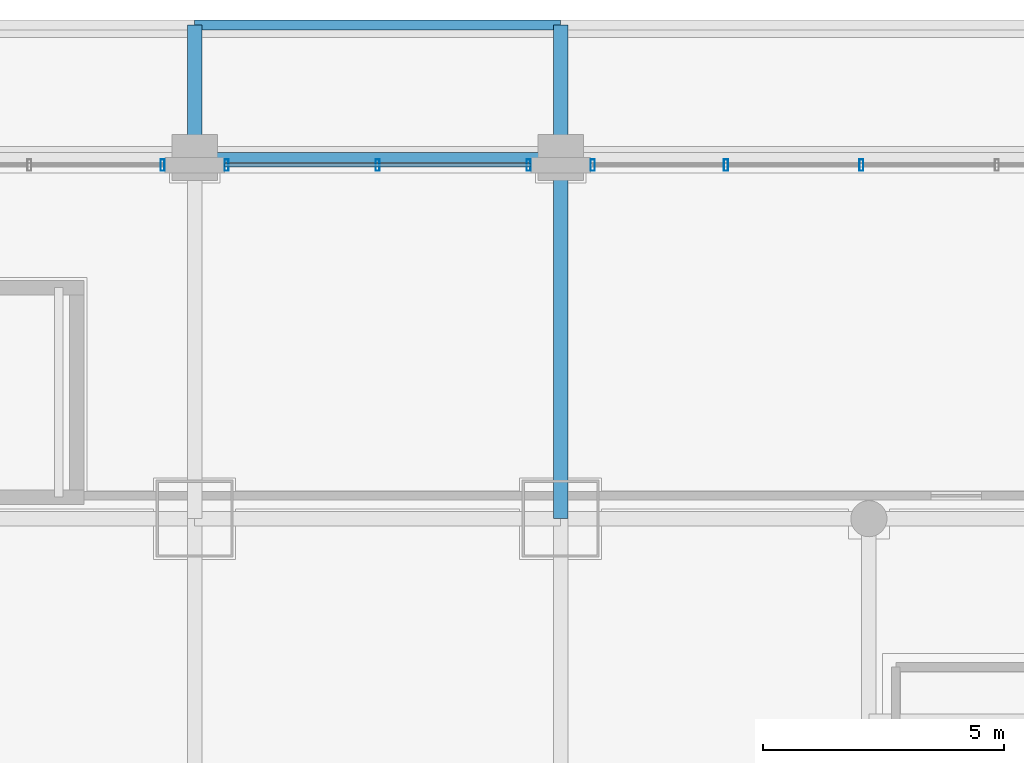
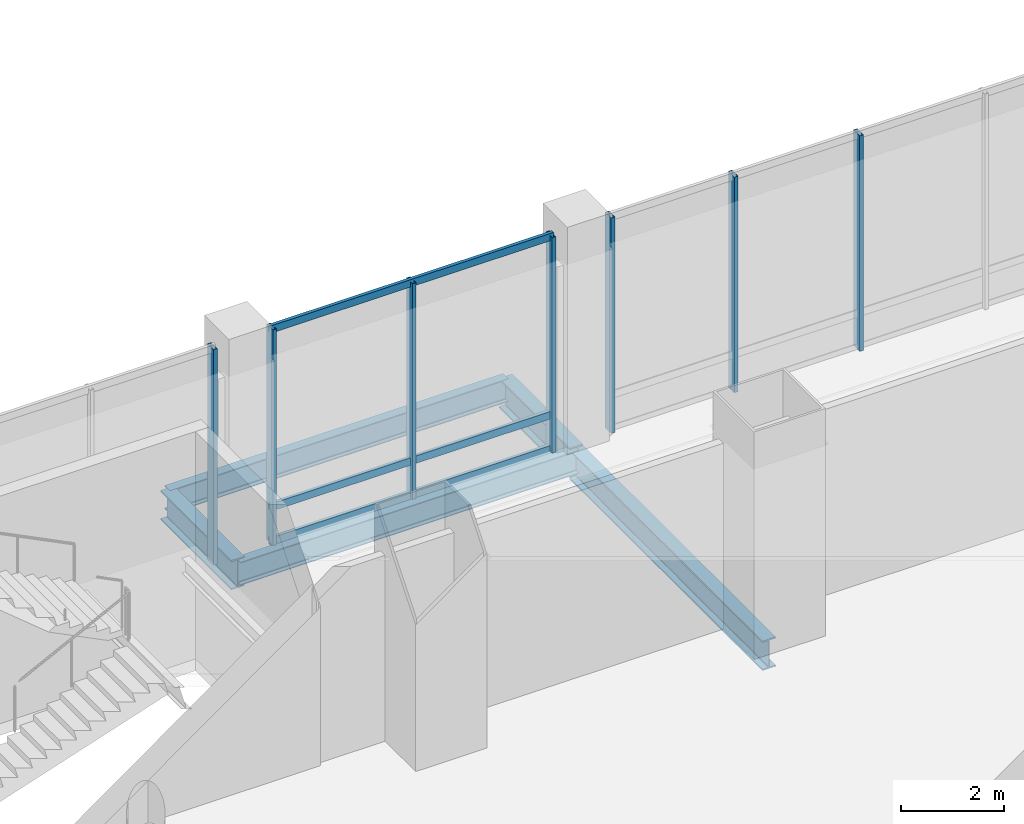
# One storey, part 18 of 43: 10 members, 5 beams, 3 elements without a shape of their own.
"""IFC4 building model written with IfcOpenShell, lengths in metres."""

import ifcopenshell
import ifcopenshell.guid

model = None  # the IFC model being written
_history = None  # IfcOwnerHistory: only IFC2X3 demands one
_inside = {}  # id of a spatial element -> (the spatial element, [elements in it])
_under = {}  # id of a project, library or spatial element -> (it, [spatial elements below it])
_declared = {}  # id of a project -> (the project, [libraries it declares])
_typed = {}  # id of a type object -> (the type object, [elements of that type])
_made_of = {}  # id of a material, layer set ... -> (it, [elements and type objects made of it])


def new_model(schema):
    """Start an empty IFC model of exactly this schema.

    Asked for "IFC4X3", IfcOpenShell would pick the latest addendum, in which some entities
    have other attributes; the version numbers below select the first issue.
    IFC2X3 requires an IfcOwnerHistory on every rooted entity: one is made here for all.
    """
    global model, _history
    if schema == "IFC4X3":
        model = ifcopenshell.file(schema_version=(4, 3, 0, 0))
    else:
        model = ifcopenshell.file(schema=schema)
    _inside.clear()
    _under.clear()
    _declared.clear()
    _typed.clear()
    _made_of.clear()
    _history = None
    if model.schema == "IFC2X3":
        org = make("IfcOrganization", Name="unknown")
        user = make(
            "IfcPersonAndOrganization",
            ThePerson=make("IfcPerson", FamilyName="unknown"),
            TheOrganization=org,
        )
        app = make(
            "IfcApplication",
            ApplicationDeveloper=org,
            Version="unknown",
            ApplicationFullName="unknown",
            ApplicationIdentifier="unknown",
        )
        _history = make(
            "IfcOwnerHistory",
            OwningUser=user,
            OwningApplication=app,
            ChangeAction="ADDED",
            CreationDate=0,
        )
    return model


def make(cls, **values):
    """One entity of the class cls with the attributes given. An attribute that is None is left unset."""
    return model.create_entity(
        cls, **{name: value for name, value in values.items() if value is not None}
    )


def rooted(cls, **values):
    """An entity with a GlobalId (a new one), such as an element, a storey or a relation."""
    return make(cls, GlobalId=ifcopenshell.guid.new(), OwnerHistory=_history, **values)


def si_unit(unit_type, name, prefix=None):
    """IfcSIUnit, for example si_unit("LENGTHUNIT", "METRE", prefix="MILLI")."""
    return make("IfcSIUnit", UnitType=unit_type, Prefix=prefix, Name=name)


def assignment(units):
    """IfcUnitAssignment: the units of a project."""
    return None if units is None else make("IfcUnitAssignment", Units=units)


def point(xyz):
    """IfcCartesianPoint."""
    return None if xyz is None else make("IfcCartesianPoint", Coordinates=xyz)


def direction(xyz):
    """IfcDirection."""
    return None if xyz is None else make("IfcDirection", DirectionRatios=xyz)


def frame(location, z_axis=None, x_axis=None):
    """IfcAxis2Placement3D, a coordinate frame: its origin and axes. An axis left out is left unset."""
    return make(
        "IfcAxis2Placement3D",
        Location=point(location),
        Axis=direction(z_axis),
        RefDirection=direction(x_axis),
    )


def frame_2d(location, x_axis=None):
    """IfcAxis2Placement2D, a coordinate frame in the plane: its origin and x axis."""
    return make(
        "IfcAxis2Placement2D", Location=point(location), RefDirection=direction(x_axis)
    )


def origin():
    """The frame at (0, 0, 0) with its axes left unset."""
    return frame((0.0, 0.0, 0.0))


def origin_2d():
    """The frame at (0, 0) in the plane with its x axis left unset."""
    return frame_2d((0.0, 0.0))


def place(relative_to, where):
    """IfcLocalPlacement: puts the frame where relative to a parent placement (None: the world)."""
    return make(
        "IfcLocalPlacement", PlacementRelTo=relative_to, RelativePlacement=where
    )


def context(
    kind, dimensions, precision=None, world=None, true_north=None, identifier=None
):
    """IfcGeometricRepresentationContext, for example the 3D "Model" context."""
    return make(
        "IfcGeometricRepresentationContext",
        ContextIdentifier=identifier,
        ContextType=kind,
        CoordinateSpaceDimension=dimensions,
        Precision=precision,
        WorldCoordinateSystem=world,
        TrueNorth=true_north,
    )


def subcontext(parent, identifier, kind, view, scale=None):
    """IfcGeometricRepresentationSubContext, for example "Body" below "Model"."""
    return make(
        "IfcGeometricRepresentationSubContext",
        ContextIdentifier=identifier,
        ContextType=kind,
        ParentContext=parent,
        TargetScale=scale,
        TargetView=view,
    )


def project(units=None, contexts=None):
    """IfcProject with its units and contexts."""
    return rooted(
        "IfcProject",
        Name="project",
        RepresentationContexts=contexts,
        UnitsInContext=assignment(units),
    )


def spatial(cls, under=None, at=None, **own):
    """A site, building, storey or space (cls), placed at a placement, below another one or the project."""
    s = rooted(cls, ObjectPlacement=at, **own)
    if under is not None:
        _under.setdefault(under.id(), (under, []))[1].append(s)
    return s


def profile(cls, at=None, kind="AREA", **sizes):
    """A parametric profile (cls). Its sizes go by their IFC names, for example OverallWidth=200.0."""
    return make(cls, ProfileType=kind, Position=at, **sizes)


def hollow_rectangle(**sizes):
    """IfcRectangleHollowProfileDef."""
    return profile("IfcRectangleHollowProfileDef", **sizes)


def i_section(**sizes):
    """IfcIShapeProfileDef."""
    return profile("IfcIShapeProfileDef", **sizes)


def extrude(swept, where, along, depth):
    """IfcExtrudedAreaSolid: the profile swept, set in the frame where, extruded along a direction by depth."""
    return make(
        "IfcExtrudedAreaSolid",
        SweptArea=swept,
        Position=where,
        ExtrudedDirection=direction(along),
        Depth=depth,
    )


def shape(context_of_items, identifier, shape_type, items):
    """IfcShapeRepresentation: the items that make up one representation, for example the "Body"."""
    return make(
        "IfcShapeRepresentation",
        ContextOfItems=context_of_items,
        RepresentationIdentifier=identifier,
        RepresentationType=shape_type,
        Items=items,
    )


def material(Name=None, Category=None):
    """IfcMaterial."""
    return make("IfcMaterial", Name=Name, Category=Category)


def material_profile(
    of_material, cross_section, Name=None, Category=None, Priority=None
):
    """IfcMaterialProfile: a cross section and its material."""
    return make(
        "IfcMaterialProfile",
        Name=Name,
        Material=of_material,
        Profile=cross_section,
        Priority=Priority,
        Category=Category,
    )


def profile_set(profiles, Name=None, composite=None):
    """IfcMaterialProfileSet."""
    return make(
        "IfcMaterialProfileSet",
        Name=Name,
        MaterialProfiles=profiles,
        CompositeProfile=composite,
    )


def made_of(thing, what):
    """Note that an element or type object is made of a material, layer set ...; save() writes the relation."""
    if what is not None:
        _made_of.setdefault(what.id(), (what, []))[1].append(thing)
    return thing


def type_object(cls, material=None, **own):
    """A type object (cls), such as IfcWallType, which elements share."""
    return made_of(rooted(cls, **own), material)


def element(
    cls,
    number,
    at=None,
    inside=None,
    cuts=None,
    type_object=None,
    material=None,
    context=None,
    identifier="Body",
    shape_type=None,
    held_by="IfcProductDefinitionShape",
    body=None,
    shapes=None,
    **own,
):
    """One element of the class cls, such as IfcWall. Its Tag is "e" and its number.

    at: its placement. inside: the storey or other place that contains it. cuts: it is an
    opening in that element (IfcRelVoidsElement). A single representation is given by context,
    identifier, shape_type and body (its items); several are given by shapes. held_by: the class
    of the entity that holds the representations. save() writes the other relations.
    """
    e = rooted(cls, Tag="e%d" % number, ObjectPlacement=at, **own)
    if body is not None:
        shapes = [shape(context, identifier, shape_type, body)]
    if shapes is not None:
        e.Representation = make(held_by, Representations=shapes)
    if inside is not None:
        _inside.setdefault(inside.id(), (inside, []))[1].append(e)
    if cuts is not None:
        rooted(
            "IfcRelVoidsElement", RelatingBuildingElement=cuts, RelatedOpeningElement=e
        )
    if type_object is not None:
        _typed.setdefault(type_object.id(), (type_object, []))[1].append(e)
    return made_of(e, material)


def aggregate(whole, parts):
    """IfcRelAggregates: a whole, such as a stair, and the parts it consists of."""
    return rooted("IfcRelAggregates", RelatingObject=whole, RelatedObjects=parts)


def save(model, path):
    """Write the relations noted so far, then the file.

    IfcRelAggregates (storeys below a building ...), IfcRelContainedInSpatialStructure (elements
    in a storey), IfcRelDefinesByType, IfcRelAssociatesMaterial and IfcRelDeclares: one each for
    every whole, place, type object, material and project.
    """
    for whole, parts in _under.values():
        aggregate(whole, parts)
    for where, things in _inside.values():
        rooted(
            "IfcRelContainedInSpatialStructure",
            RelatedElements=things,
            RelatingStructure=where,
        )
    for kind, things in _typed.values():
        rooted("IfcRelDefinesByType", RelatedObjects=things, RelatingType=kind)
    for what, things in _made_of.values():
        rooted("IfcRelAssociatesMaterial", RelatedObjects=things, RelatingMaterial=what)
    for by, libraries in _declared.values():
        rooted("IfcRelDeclares", RelatingContext=by, RelatedDefinitions=libraries)
    model.write(path)


model = new_model("IFC4")

# Units and contexts
model_context = context("Model", 3, precision=1e-05, world=origin(), true_north=direction((0.0, 1.0)))
body_context = subcontext(model_context, "Body", "Model", "MODEL_VIEW")
ifc_project = project(units=[si_unit("LENGTHUNIT", "METRE"), si_unit("AREAUNIT", "SQUARE_METRE"), si_unit("VOLUMEUNIT", "CUBIC_METRE"), si_unit("PLANEANGLEUNIT", "RADIAN"), si_unit("MASSUNIT", "GRAM", prefix="KILO")], contexts=[model_context])

# Site, building, storey
site_placement = place(None, origin())
site = spatial("IfcSite", under=ifc_project, at=site_placement, CompositionType="ELEMENT")
building_placement = place(site_placement, origin())
building = spatial("IfcBuilding", under=site, at=building_placement, Name="Punatoya Terracotta Tower", CompositionType="ELEMENT")
storey_placement = place(building_placement, frame((0.0, 0.0, 6.0)))
storey = spatial("IfcBuildingStorey", under=building, at=storey_placement, Name="L01", CompositionType="ELEMENT", Elevation=6.0)

# Beams
ifc_material_1 = material(Name="Steel S355", Category="steel")
ifc_material_profile_1 = material_profile(ifc_material_1, i_section(OverallWidth=0.300048828125, OverallDepth=0.699951171875, WebThickness=0.01708984375, FlangeThickness=0.031982421875, FilletRadius=0.01806640625, at=origin_2d()))
ifc_profile_set_1 = profile_set([ifc_material_profile_1], Name="Steel S355")
beam_type_1 = type_object("IfcBeamType", Name="BM-PRI-700", PredefinedType="BEAM", material=ifc_profile_set_1)
beam_placement = place(storey_placement, frame((3.800048828125, 17.5, -0.6298828125), z_axis=(0.0, 1.0, 0.0), x_axis=(-1.0, 0.0, 0.0)))
element("IfcBeam", 1, at=beam_placement, inside=storey, type_object=beam_type_1, Name="BM-L01-NS3-N", PredefinedType="BEAM", context=body_context, shape_type="SweptSolid", body=[
    extrude(i_section(OverallWidth=0.300048828125, OverallDepth=0.699951171875, WebThickness=0.01708984375, FlangeThickness=0.031982421875, FilletRadius=0.01806640625, at=origin_2d()), origin(), (0.0, 0.0, 1.0), 7.5),
])
for number, where, z_axis, x_axis, name in (
    (2, (-3.800048828125, 25.0, -0.60009765625), (0.0, 1.0, 0.0), (-1.0, 0.0, 0.0), "BM-L01-CANN--3"),
    (3, (3.800048828125, 25.0, -0.60009765625), (0.0, 1.0, 0.0), (-1.0, 0.0, 0.0), "BM-L01-CANN-3"),
):
    element("IfcBeam", number, at=place(storey_placement, frame(where, z_axis=z_axis, x_axis=x_axis)), inside=storey, type_object=beam_type_1, Name=name, PredefinedType="BEAM", context=body_context, shape_type="SweptSolid", body=[
        extrude(i_section(OverallWidth=0.300048828125, OverallDepth=0.699951171875, WebThickness=0.01708984375, FlangeThickness=0.031982421875, FilletRadius=0.01806640625, at=origin_2d()), origin(), (0.0, 0.0, 1.0), 2.75),
    ])
ifc_material_profile_2 = material_profile(ifc_material_1, i_section(OverallWidth=0.2099609375, OverallDepth=0.550048828125, WebThickness=0.010986328125, FlangeThickness=0.01708984375, FilletRadius=0.01806640625, at=origin_2d()))
ifc_profile_set_2 = profile_set([ifc_material_profile_2], Name="Steel S355")
beam_type_2 = type_object("IfcBeamType", Name="BM-SPN-550", PredefinedType="SPANDREL", material=ifc_profile_set_2)
for number, where, z_axis, x_axis, name in (
    (4, (-3.800048828125, 25.0, -0.554931640625), (1.0, 0.0, 0.0), (0.0, 1.0, 0.0), "BM-L01-MIDH-2"),
    (5, (-3.800048828125, 27.75, -0.52490234375), (1.0, 0.0, 0.0), (0.0, 1.0, 0.0), "BM-L01-CANFN-2"),
):
    element("IfcBeam", number, at=place(storey_placement, frame(where, z_axis=z_axis, x_axis=x_axis)), inside=storey, type_object=beam_type_2, Name=name, PredefinedType="SPANDREL", context=body_context, shape_type="SweptSolid", body=[
        extrude(i_section(OverallWidth=0.2099609375, OverallDepth=0.550048828125, WebThickness=0.010986328125, FlangeThickness=0.01708984375, FilletRadius=0.01806640625, at=origin_2d()), origin(), (0.0, 0.0, 1.0), 7.60009765625),
    ])

# Curtain wall, member
ifc_material_2 = material(Name="Aluminium 6063-T6 + Double Low-E Glass", Category="aluminium")
curtain_wall_type = type_object("IfcCurtainWallType", Name="CW-POD", PredefinedType="NOTDEFINED", material=ifc_material_2)
curtain_wall_1_placement = place(storey_placement, origin())
curtain_wall_1 = element("IfcCurtainWall", 6, at=curtain_wall_1_placement, inside=storey, type_object=curtain_wall_type, Name="L01 Curtain Wall CWP-L01-N3", PredefinedType="NOTDEFINED")
ifc_material_3 = material(Name="Aluminium 6063-T6", Category="aluminium")
ifc_material_profile_3 = material_profile(ifc_material_3, hollow_rectangle(XDim=0.0849609375, YDim=0.239990234375, WallThickness=0.0048828125, at=origin_2d()))
ifc_profile_set_3 = profile_set([ifc_material_profile_3], Name="Aluminium 6063-T6")
member_type_1 = type_object("IfcMemberType", Name="CW-MUL-POD", PredefinedType="MULLION", material=ifc_profile_set_3)
member_1_placement = place(storey_placement, frame((-4.465087890625, 24.840087890625, 0.0), z_axis=(0.0, 0.0, 1.0), x_axis=(1.0, 0.0, 0.0)))
member_1 = element("IfcMember", 7, at=member_1_placement, type_object=member_type_1, Name="CWP-L01-N3 Mullion 00", PredefinedType="MULLION", context=body_context, shape_type="SweptSolid", body=[
    extrude(hollow_rectangle(XDim=0.0849609375, YDim=0.239990234375, WallThickness=0.0048828125, at=origin_2d()), origin(), (0.0, 0.0, 1.0), 5.1201171875),
])
aggregate(curtain_wall_1, [member_1])

# Curtain wall, members
curtain_wall_2_placement = place(storey_placement, origin())
curtain_wall_2 = element("IfcCurtainWall", 8, at=curtain_wall_2_placement, inside=storey, type_object=curtain_wall_type, Name="L01 Curtain Wall CWP-L01-N4", PredefinedType="NOTDEFINED")
member_2_placement = place(storey_placement, frame((3.135009765625, 24.840087890625, 0.0), z_axis=(0.0, 0.0, 1.0), x_axis=(1.0, 0.0, 0.0)))
member_2 = element("IfcMember", 9, at=member_2_placement, type_object=member_type_1, Name="CWP-L01-N4 Mullion 00", PredefinedType="MULLION", context=body_context, shape_type="SweptSolid", body=[
    extrude(hollow_rectangle(XDim=0.0849609375, YDim=0.239990234375, WallThickness=0.0048828125, at=origin_2d()), origin(), (0.0, 0.0, 1.0), 5.1201171875),
])
member_3_placement = place(storey_placement, frame((0.0, 24.840087890625, 0.0), z_axis=(0.0, 0.0, 1.0), x_axis=(1.0, 0.0, 0.0)))
member_3 = element("IfcMember", 10, at=member_3_placement, type_object=member_type_1, Name="CWP-L01-N4 Mullion 01", PredefinedType="MULLION", context=body_context, shape_type="SweptSolid", body=[
    extrude(hollow_rectangle(XDim=0.0849609375, YDim=0.239990234375, WallThickness=0.0048828125, at=origin_2d()), origin(), (0.0, 0.0, 1.0), 5.1201171875),
])
member_4_placement = place(storey_placement, frame((-3.135009765625, 24.840087890625, 0.0), z_axis=(0.0, 0.0, 1.0), x_axis=(1.0, 0.0, 0.0)))
member_4 = element("IfcMember", 11, at=member_4_placement, type_object=member_type_1, Name="CWP-L01-N4 Mullion 02", PredefinedType="MULLION", context=body_context, shape_type="SweptSolid", body=[
    extrude(hollow_rectangle(XDim=0.0849609375, YDim=0.239990234375, WallThickness=0.0048828125, at=origin_2d()), origin(), (0.0, 0.0, 1.0), 5.1201171875),
])

curtain_wall_3_placement = place(storey_placement, origin())
curtain_wall_3 = element("IfcCurtainWall", 12, at=curtain_wall_3_placement, inside=storey, type_object=curtain_wall_type, Name="L01 Curtain Wall CWP-L01-N5", PredefinedType="NOTDEFINED")
member_5_placement = place(storey_placement, frame((10.0439453125, 24.840087890625, 0.0), z_axis=(0.0, 0.0, 1.0), x_axis=(1.0, 0.0, 0.0)))
member_5 = element("IfcMember", 13, at=member_5_placement, type_object=member_type_1, Name="CWP-L01-N5 Mullion 03", PredefinedType="MULLION", context=body_context, shape_type="SweptSolid", body=[
    extrude(hollow_rectangle(XDim=0.0849609375, YDim=0.239990234375, WallThickness=0.0048828125, at=origin_2d()), origin(), (0.0, 0.0, 1.0), 5.1201171875),
])
member_6_placement = place(storey_placement, frame((7.23193359375, 24.840087890625, 0.0), z_axis=(0.0, 0.0, 1.0), x_axis=(1.0, 0.0, 0.0)))
member_6 = element("IfcMember", 14, at=member_6_placement, type_object=member_type_1, Name="CWP-L01-N5 Mullion 04", PredefinedType="MULLION", context=body_context, shape_type="SweptSolid", body=[
    extrude(hollow_rectangle(XDim=0.0849609375, YDim=0.239990234375, WallThickness=0.0048828125, at=origin_2d()), origin(), (0.0, 0.0, 1.0), 5.1201171875),
])
member_7_placement = place(storey_placement, frame((4.465087890625, 24.840087890625, 0.0), z_axis=(0.0, 0.0, 1.0), x_axis=(1.0, 0.0, 0.0)))
member_7 = element("IfcMember", 15, at=member_7_placement, type_object=member_type_1, Name="CWP-L01-N5 Mullion 05", PredefinedType="MULLION", context=body_context, shape_type="SweptSolid", body=[
    extrude(hollow_rectangle(XDim=0.0849609375, YDim=0.239990234375, WallThickness=0.0048828125, at=origin_2d()), origin(), (0.0, 0.0, 1.0), 5.1201171875),
])
aggregate(curtain_wall_3, [member_5, member_6, member_7])

# Member
ifc_material_profile_4 = material_profile(ifc_material_3, hollow_rectangle(XDim=0.074951171875, YDim=0.175048828125, WallThickness=0.00439453125, at=origin_2d()))
ifc_profile_set_4 = profile_set([ifc_material_profile_4], Name="Aluminium 6063-T6")
member_type_2 = type_object("IfcMemberType", Name="CW-TRN-POD", PredefinedType="USERDEFINED", material=ifc_profile_set_4)
member_8_placement = place(storey_placement, frame((3.179931640625, 24.840087890625, 0.0400390625), z_axis=(-1.0, 0.0, 0.0), x_axis=(0.0, -1.0, 0.0)))
member_8 = element("IfcMember", 16, at=member_8_placement, type_object=member_type_2, Name="CWP-L01-N4 Transom 1", ObjectType="TRANSOM", PredefinedType="USERDEFINED", context=body_context, shape_type="SweptSolid", body=[
    extrude(hollow_rectangle(XDim=0.074951171875, YDim=0.175048828125, WallThickness=0.00439453125, at=origin_2d()), origin(), (0.0, 0.0, 1.0), 6.35986328125),
])

member_9_placement = place(storey_placement, frame((3.179931640625, 24.840087890625, 0.85009765625), z_axis=(-1.0, 0.0, 0.0), x_axis=(0.0, -1.0, 0.0)))
member_9 = element("IfcMember", 17, at=member_9_placement, type_object=member_type_2, Name="CWP-L01-N4 Transom 2", ObjectType="TRANSOM", PredefinedType="USERDEFINED", context=body_context, shape_type="SweptSolid", body=[
    extrude(hollow_rectangle(XDim=0.074951171875, YDim=0.175048828125, WallThickness=0.00439453125, at=origin_2d()), origin(), (0.0, 0.0, 1.0), 6.35986328125),
])

member_10_placement = place(storey_placement, frame((3.179931640625, 24.840087890625, 5.080078125), z_axis=(-1.0, 0.0, 0.0), x_axis=(0.0, -1.0, 0.0)))
member_10 = element("IfcMember", 18, at=member_10_placement, type_object=member_type_2, Name="CWP-L01-N4 Transom 3", ObjectType="TRANSOM", PredefinedType="USERDEFINED", context=body_context, shape_type="SweptSolid", body=[
    extrude(hollow_rectangle(XDim=0.074951171875, YDim=0.175048828125, WallThickness=0.00439453125, at=origin_2d()), origin(), (0.0, 0.0, 1.0), 6.35986328125),
])

aggregate(curtain_wall_2, [member_2, member_3, member_4, member_8, member_9, member_10])

save(model, "model.ifc")
